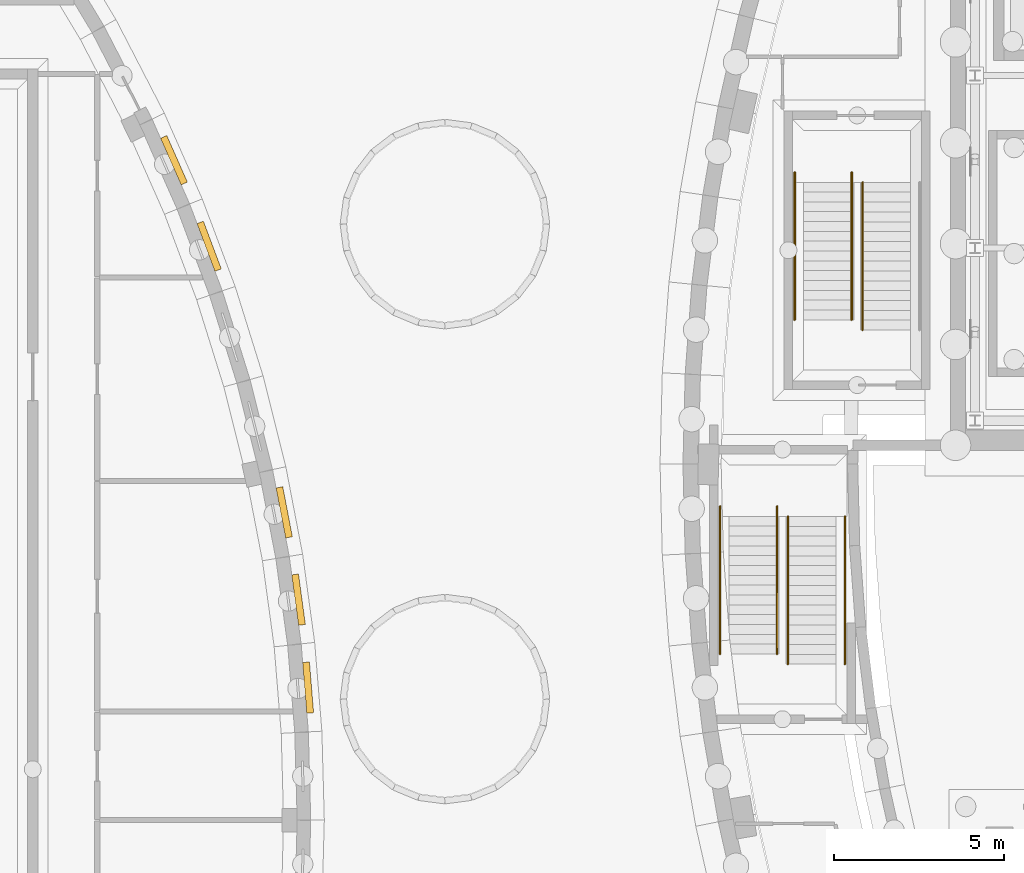
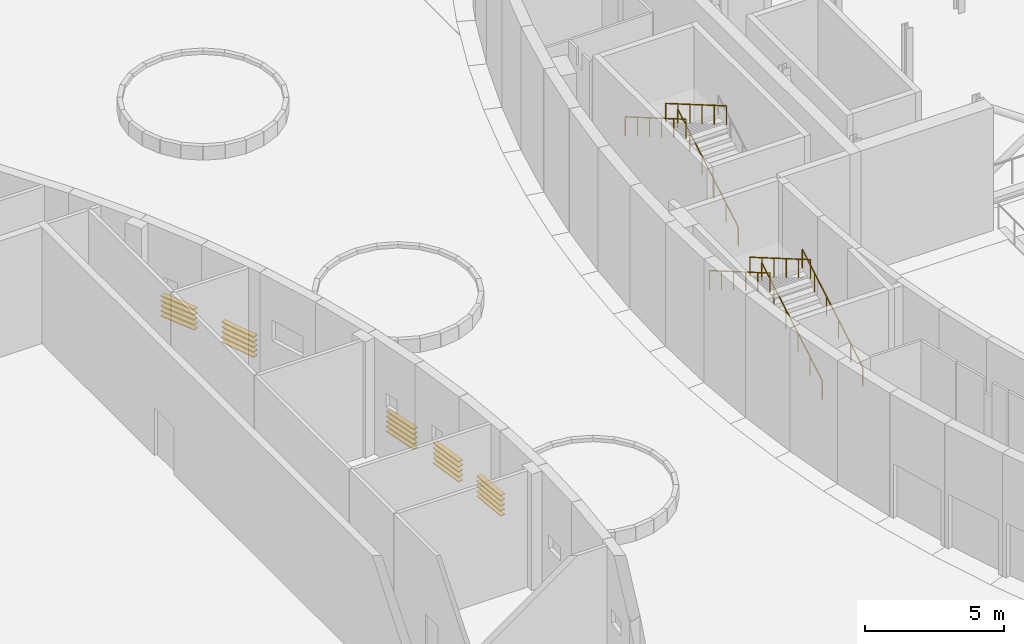
# One storey, part 72 of 82: 25 shading devices, 7 railings.
"""IFC4 building model written with IfcOpenShell, lengths in metres."""

from ifc_helpers import new_model, si_unit, direction, frame, origin, origin_2d, place, context, subcontext, project, spatial, rectangle, circle, extrude, material, layer, layer_set, type_object, element, save


model = new_model("IFC4")

# Units and contexts
model_context = context("Model", 3, precision=1e-05, world=origin(), true_north=direction((0.0, 1.0)))
body_context = subcontext(model_context, "Body", "Model", "MODEL_VIEW")
ifc_project = project(units=[si_unit("LENGTHUNIT", "METRE"), si_unit("AREAUNIT", "SQUARE_METRE"), si_unit("VOLUMEUNIT", "CUBIC_METRE"), si_unit("PLANEANGLEUNIT", "RADIAN"), si_unit("MASSUNIT", "GRAM", prefix="KILO")], contexts=[model_context])

# Site, building, storey
site_placement = place(None, origin())
site = spatial("IfcSite", under=ifc_project, at=site_placement, CompositionType="ELEMENT")
building_placement = place(site_placement, origin())
building = spatial("IfcBuilding", under=site, at=building_placement, Name="Tide Square Theatres", CompositionType="ELEMENT")
storey_placement = place(building_placement, origin())
storey = spatial("IfcBuildingStorey", under=building, at=storey_placement, Name="L00", CompositionType="ELEMENT", Elevation=0.0)

# Shading devices
ifc_material_1 = material(Name="Aluminium 6063-T5", Category="aluminium")
ifc_layer = layer(ifc_material_1, 0.0400390625)
ifc_layer_set = layer_set([ifc_layer], Name="Aluminium 6063-T5")
shading_device_type = type_object("IfcShadingDeviceType", Name="Aluminium louvre blade 200", PredefinedType="USERDEFINED", material=ifc_layer_set)
for number, where, z_axis, x_axis, name in (
    (1, (51.6162109375, 48.407958984375, 0.8798828125), (0.0, 0.0, 1.0), (-0.081294891247, 0.996690092585, 0.0), "Studio Theatre plant room louvre"),
    (2, (51.6162109375, 48.407958984375, 1.10009765625), (0.0, 0.0, 1.0), (-0.081294891247, 0.996690092585, 0.0), "Studio Theatre plant room louvre"),
    (3, (51.6162109375, 48.407958984375, 1.320068359375), (0.0, 0.0, 1.0), (-0.081294891247, 0.996690092585, 0.0), "Studio Theatre plant room louvre"),
    (4, (51.6162109375, 48.407958984375, 1.5400390625), (0.0, 0.0, 1.0), (-0.081294891247, 0.996690092585, 0.0), "Studio Theatre plant room louvre"),
    (5, (51.6162109375, 48.407958984375, 1.760009765625), (0.0, 0.0, 1.0), (-0.081294891247, 0.996690092585, 0.0), "Studio Theatre plant room louvre"),
    (6, (51.333740234375, 51.00048828125, 0.8798828125), (0.0, 0.0, 1.0), (-0.135214092527, 0.990816405386, 0.0), "Studio Theatre plant room louvre"),
    (7, (51.333740234375, 51.00048828125, 1.10009765625), (0.0, 0.0, 1.0), (-0.135214092527, 0.990816405386, 0.0), "Studio Theatre plant room louvre"),
    (8, (51.333740234375, 51.00048828125, 1.320068359375), (0.0, 0.0, 1.0), (-0.135214092527, 0.990816405386, 0.0), "Studio Theatre plant room louvre"),
    (9, (51.333740234375, 51.00048828125, 1.5400390625), (0.0, 0.0, 1.0), (-0.135214092527, 0.990816405386, 0.0), "Studio Theatre plant room louvre"),
    (10, (51.333740234375, 51.00048828125, 1.760009765625), (0.0, 0.0, 1.0), (-0.135214092527, 0.990816405386, 0.0), "Studio Theatre plant room louvre"),
    (11, (50.911376953125, 53.57373046875, 0.8798828125), (0.0, 0.0, 1.0), (-0.188735523631, 0.982027953838, 0.0), "Studio Theatre plant room louvre"),
    (12, (50.911376953125, 53.57373046875, 1.10009765625), (0.0, 0.0, 1.0), (-0.188735523631, 0.982027953838, 0.0), "Studio Theatre plant room louvre"),
    (13, (50.911376953125, 53.57373046875, 1.320068359375), (0.0, 0.0, 1.0), (-0.188735523631, 0.982027953838, 0.0), "Studio Theatre plant room louvre"),
    (14, (50.911376953125, 53.57373046875, 1.5400390625), (0.0, 0.0, 1.0), (-0.188735523631, 0.982027953838, 0.0), "Studio Theatre plant room louvre"),
    (15, (50.911376953125, 53.57373046875, 1.760009765625), (0.0, 0.0, 1.0), (-0.188735523631, 0.982027953838, 0.0), "Studio Theatre plant room louvre"),
    (16, (48.69873046875, 61.417724609375, 0.8798828125), (0.0, 0.0, 1.0), (-0.351874322832, 0.936047253578, 0.0), "Studio Theatre plant room louvre"),
    (17, (48.69873046875, 61.417724609375, 1.10009765625), (0.0, 0.0, 1.0), (-0.351874322832, 0.936047253578, 0.0), "Studio Theatre plant room louvre"),
    (18, (48.69873046875, 61.417724609375, 1.320068359375), (0.0, 0.0, 1.0), (-0.351874322832, 0.936047253578, 0.0), "Studio Theatre plant room louvre"),
    (19, (48.69873046875, 61.417724609375, 1.5400390625), (0.0, 0.0, 1.0), (-0.351874322832, 0.936047253578, 0.0), "Studio Theatre plant room louvre"),
    (20, (48.69873046875, 61.417724609375, 1.760009765625), (0.0, 0.0, 1.0), (-0.351874322832, 0.936047253578, 0.0), "Studio Theatre plant room louvre"),
    (21, (47.661376953125, 63.955078125, 0.8798828125), (0.0, 0.0, 1.0), (-0.404630907884, 0.91448008638, 0.0), "Studio Theatre plant room louvre"),
    (22, (47.661376953125, 63.955078125, 1.10009765625), (0.0, 0.0, 1.0), (-0.404630907884, 0.91448008638, 0.0), "Studio Theatre plant room louvre"),
    (23, (47.661376953125, 63.955078125, 1.320068359375), (0.0, 0.0, 1.0), (-0.404630907884, 0.91448008638, 0.0), "Studio Theatre plant room louvre"),
    (24, (47.661376953125, 63.955078125, 1.5400390625), (0.0, 0.0, 1.0), (-0.404630907884, 0.91448008638, 0.0), "Studio Theatre plant room louvre"),
    (25, (47.661376953125, 63.955078125, 1.760009765625), (0.0, 0.0, 1.0), (-0.404630907884, 0.91448008638, 0.0), "Studio Theatre plant room louvre"),
):
    element("IfcShadingDevice", number, at=place(storey_placement, frame(where, z_axis=z_axis, x_axis=x_axis)), inside=storey, type_object=shading_device_type, Name=name, ObjectType="LOUVRE", PredefinedType="USERDEFINED", context=body_context, shape_type="SweptSolid", body=[
        extrude(rectangle(XDim=1.5, YDim=0.199951171875, at=origin_2d()), origin(), (0.0, 0.0, 1.0), 0.0400390625),
    ])

# Railings
ifc_material_2 = material(Name="Painted steel", Category="steel")
railing_type = type_object("IfcRailingType", Name="Steel handrail 850", PredefinedType="HANDRAIL", material=ifc_material_2)
railing_placement = place(storey_placement, frame((67.9599609375, 58.949951171875, 0.168701171875)))
element("IfcRailing", 26, at=railing_placement, inside=storey, type_object=railing_type, Name="Stair handrail 1", PredefinedType="HANDRAIL", context=body_context, shape_type="SweptSolid", body=[
    extrude(circle(Radius=0.02490234375, at=origin_2d()), frame((0.0, 0.0, 0.8251953125), z_axis=(0.0, 0.864323800911, 0.50293574856), x_axis=(-1.0, 0.0, 0.0)), (0.0, 0.0, 1.0), 5.032958984375),
    extrude(circle(Radius=0.02001953125, at=origin_2d()), origin(), (0.0, 0.0, 1.0), 0.800048828125),
    extrude(circle(Radius=0.02001953125, at=origin_2d()), frame((0.0, 0.8701171875, 0.50634765625)), (0.0, 0.0, 1.0), 0.800048828125),
    extrude(circle(Radius=0.02001953125, at=origin_2d()), frame((0.0, 1.739990234375, 1.012451171875)), (0.0, 0.0, 1.0), 0.800048828125),
    extrude(circle(Radius=0.02001953125, at=origin_2d()), frame((0.0, 2.610107421875, 1.518798828125)), (0.0, 0.0, 1.0), 0.800048828125),
    extrude(circle(Radius=0.02001953125, at=origin_2d()), frame((0.0, 3.47998046875, 2.02490234375)), (0.0, 0.0, 1.0), 0.800048828125),
    extrude(circle(Radius=0.02001953125, at=origin_2d()), frame((0.0, 4.35009765625, 2.53125)), (0.0, 0.0, 1.0), 0.800048828125),
])
for number, where, name in (
    (27, (67.639892578125, 63.59814453125, 2.86865234375), "Stair handrail 1"),
    (28, (65.9599609375, 63.59814453125, 2.86865234375), "Stair handrail 1"),
):
    element("IfcRailing", number, at=place(storey_placement, frame(where)), inside=storey, type_object=railing_type, Name=name, PredefinedType="HANDRAIL", context=body_context, shape_type="SweptSolid", body=[
        extrude(circle(Radius=0.02490234375, at=origin_2d()), frame((0.0, 0.0, 0.8251953125), z_axis=(0.0, -0.864311530196, 0.502956835891), x_axis=(1.0, 0.0, 0.0)), (0.0, 0.0, 1.0), 5.03271484375),
        extrude(circle(Radius=0.02001953125, at=origin_2d()), origin(), (0.0, 0.0, 1.0), 0.800048828125),
        extrude(circle(Radius=0.02001953125, at=origin_2d()), frame((0.0, -0.869873046875, 0.50634765625)), (0.0, 0.0, 1.0), 0.800048828125),
        extrude(circle(Radius=0.02001953125, at=origin_2d()), frame((0.0, -1.739990234375, 1.012451171875)), (0.0, 0.0, 1.0), 0.800048828125),
        extrude(circle(Radius=0.02001953125, at=origin_2d()), frame((0.0, -2.60986328125, 1.518798828125)), (0.0, 0.0, 1.0), 0.800048828125),
        extrude(circle(Radius=0.02001953125, at=origin_2d()), frame((0.0, -3.47998046875, 2.02490234375)), (0.0, 0.0, 1.0), 0.800048828125),
        extrude(circle(Radius=0.02001953125, at=origin_2d()), frame((0.0, -4.349853515625, 2.53125)), (0.0, 0.0, 1.0), 0.800048828125),
    ])
for number, where, name in (
    (29, (67.43994140625, 49.10009765625, 0.168701171875), "Stair handrail 3"),
    (30, (65.760009765625, 49.10009765625, 0.168701171875), "Stair handrail 3"),
):
    element("IfcRailing", number, at=place(storey_placement, frame(where)), inside=storey, type_object=railing_type, Name=name, PredefinedType="HANDRAIL", context=body_context, shape_type="SweptSolid", body=[
        extrude(circle(Radius=0.02490234375, at=origin_2d()), frame((0.0, 0.0, 0.8251953125), z_axis=(0.0, 0.864311530196, 0.502956835891), x_axis=(-1.0, 0.0, 0.0)), (0.0, 0.0, 1.0), 5.03271484375),
        extrude(circle(Radius=0.02001953125, at=origin_2d()), origin(), (0.0, 0.0, 1.0), 0.800048828125),
        extrude(circle(Radius=0.02001953125, at=origin_2d()), frame((0.0, 0.869873046875, 0.50634765625)), (0.0, 0.0, 1.0), 0.800048828125),
        extrude(circle(Radius=0.02001953125, at=origin_2d()), frame((0.0, 1.739990234375, 1.012451171875)), (0.0, 0.0, 1.0), 0.800048828125),
        extrude(circle(Radius=0.02001953125, at=origin_2d()), frame((0.0, 2.60986328125, 1.518798828125)), (0.0, 0.0, 1.0), 0.800048828125),
        extrude(circle(Radius=0.02001953125, at=origin_2d()), frame((0.0, 3.47998046875, 2.02490234375)), (0.0, 0.0, 1.0), 0.800048828125),
        extrude(circle(Radius=0.02001953125, at=origin_2d()), frame((0.0, 4.349853515625, 2.53125)), (0.0, 0.0, 1.0), 0.800048828125),
    ])
for number, where, name in (
    (31, (65.43994140625, 53.748291015625, 2.86865234375), "Stair handrail 3"),
    (32, (63.760009765625, 53.748291015625, 2.86865234375), "Stair handrail 3"),
):
    element("IfcRailing", number, at=place(storey_placement, frame(where)), inside=storey, type_object=railing_type, Name=name, PredefinedType="HANDRAIL", context=body_context, shape_type="SweptSolid", body=[
        extrude(circle(Radius=0.02490234375, at=origin_2d()), frame((0.0, 0.0, 0.8251953125), z_axis=(0.0, -0.864323800911, 0.50293574856), x_axis=(1.0, 0.0, 0.0)), (0.0, 0.0, 1.0), 5.032958984375),
        extrude(circle(Radius=0.02001953125, at=origin_2d()), origin(), (0.0, 0.0, 1.0), 0.800048828125),
        extrude(circle(Radius=0.02001953125, at=origin_2d()), frame((0.0, -0.8701171875, 0.50634765625)), (0.0, 0.0, 1.0), 0.800048828125),
        extrude(circle(Radius=0.02001953125, at=origin_2d()), frame((0.0, -1.739990234375, 1.012451171875)), (0.0, 0.0, 1.0), 0.800048828125),
        extrude(circle(Radius=0.02001953125, at=origin_2d()), frame((0.0, -2.610107421875, 1.518798828125)), (0.0, 0.0, 1.0), 0.800048828125),
        extrude(circle(Radius=0.02001953125, at=origin_2d()), frame((0.0, -3.47998046875, 2.02490234375)), (0.0, 0.0, 1.0), 0.800048828125),
        extrude(circle(Radius=0.02001953125, at=origin_2d()), frame((0.0, -4.35009765625, 2.53125)), (0.0, 0.0, 1.0), 0.800048828125),
    ])

save(model, "model.ifc")
